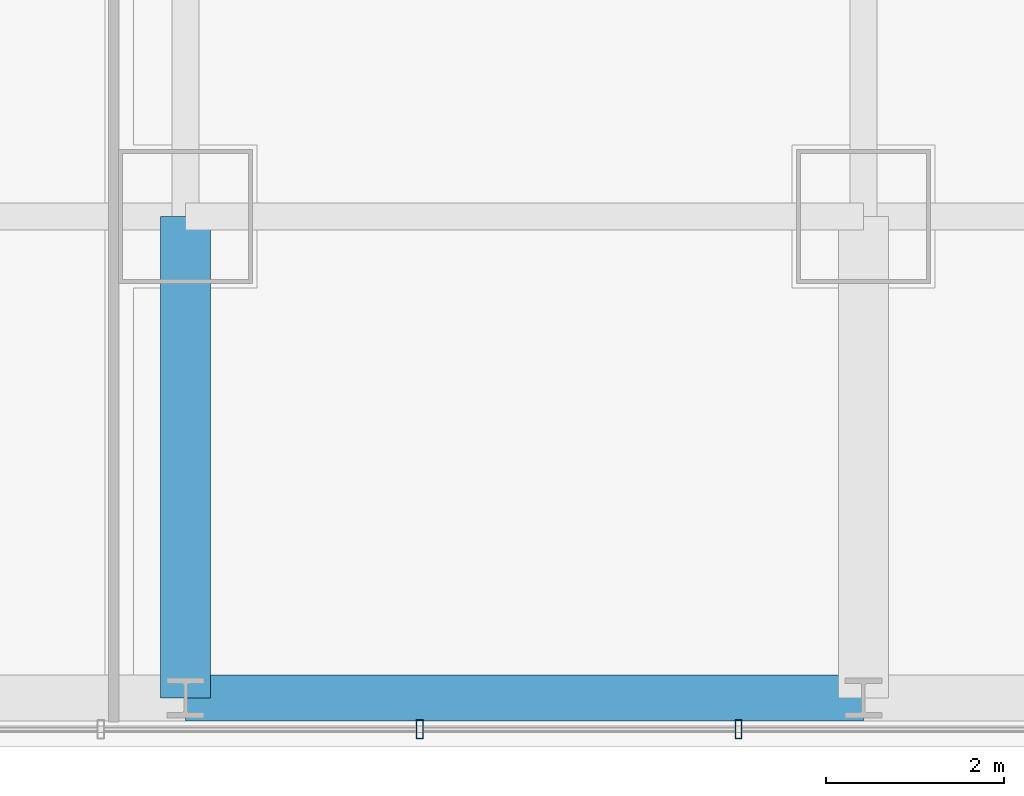
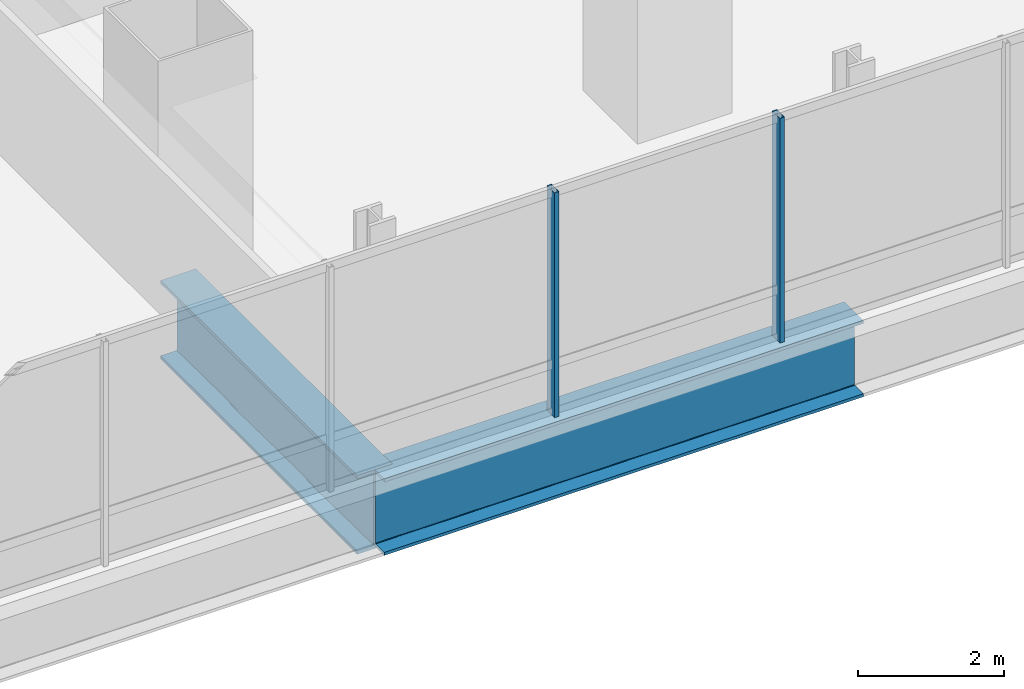
# One storey, part 4 of 42: 2 beams, 2 members, 1 element without a shape of its own.
"""IFC4 building model written with IfcOpenShell, lengths in metres."""

from ifc_helpers import new_model, si_unit, direction, frame, origin, origin_2d, place, context, subcontext, project, spatial, hollow_rectangle, i_section, extrude, material, material_profile, profile_set, type_object, element, aggregate, save


model = new_model("IFC4")

# Units and contexts
model_context = context("Model", 3, precision=1e-05, world=origin(), true_north=direction((0.0, 1.0)))
body_context = subcontext(model_context, "Body", "Model", "MODEL_VIEW")
ifc_project = project(units=[si_unit("LENGTHUNIT", "METRE"), si_unit("AREAUNIT", "SQUARE_METRE"), si_unit("VOLUMEUNIT", "CUBIC_METRE"), si_unit("PLANEANGLEUNIT", "RADIAN"), si_unit("MASSUNIT", "GRAM", prefix="KILO")], contexts=[model_context])

# Site, building, storey
site_placement = place(None, origin())
site = spatial("IfcSite", under=ifc_project, at=site_placement, CompositionType="ELEMENT")
building_placement = place(site_placement, origin())
building = spatial("IfcBuilding", under=site, at=building_placement, Name="Punatoya Terracotta Tower", CompositionType="ELEMENT")
storey_placement = place(building_placement, frame((0.0, 0.0, 88.949951171875)))
storey = spatial("IfcBuildingStorey", under=building, at=storey_placement, Name="L20", CompositionType="ELEMENT", Elevation=88.949951171875)

# Beams
ifc_material_1 = material(Name="Steel S460", Category="steel")
ifc_material_profile_1 = material_profile(ifc_material_1, i_section(OverallWidth=0.56005859375, OverallDepth=1.320068359375, WebThickness=0.035888671875, FlangeThickness=0.054931640625, FilletRadius=0.01806640625, at=origin_2d()))
ifc_profile_set_1 = profile_set([ifc_material_profile_1], Name="Steel S460")
beam_type_1 = type_object("IfcBeamType", Name="BM-TG-BLK", PredefinedType="BEAM", material=ifc_profile_set_1)
beam_1_placement = place(storey_placement, frame((-3.800048828125, -22.89990234375, -0.89990234375), z_axis=(0.0, 1.0, 0.0), x_axis=(-1.0, 0.0, 0.0)))
element("IfcBeam", 1, at=beam_1_placement, inside=storey, type_object=beam_type_1, Name="BM-L20-CANT-S2", PredefinedType="BEAM", context=body_context, shape_type="SweptSolid", body=[
    extrude(i_section(OverallWidth=0.56005859375, OverallDepth=1.320068359375, WebThickness=0.035888671875, FlangeThickness=0.054931640625, FilletRadius=0.01806640625, at=origin_2d()), origin(), (0.0, 0.0, 1.0), 5.39990234375),
])
ifc_material_profile_2 = material_profile(ifc_material_1, i_section(OverallWidth=0.52001953125, OverallDepth=1.280029296875, WebThickness=0.031982421875, FlangeThickness=0.050048828125, FilletRadius=0.01806640625, at=origin_2d()))
ifc_profile_set_2 = profile_set([ifc_material_profile_2], Name="Steel S460")
beam_type_2 = type_object("IfcBeamType", Name="BM-TG-NCK", PredefinedType="BEAM", material=ifc_profile_set_2)
beam_2_placement = place(storey_placement, frame((-3.800048828125, -22.89990234375, -0.8798828125), z_axis=(1.0, 0.0, 0.0), x_axis=(0.0, 1.0, 0.0)))
element("IfcBeam", 2, at=beam_2_placement, inside=storey, type_object=beam_type_2, Name="BM-L20-PER-S2", PredefinedType="BEAM", context=body_context, shape_type="SweptSolid", body=[
    extrude(i_section(OverallWidth=0.52001953125, OverallDepth=1.280029296875, WebThickness=0.031982421875, FlangeThickness=0.050048828125, FilletRadius=0.01806640625, at=origin_2d()), origin(), (0.0, 0.0, 1.0), 7.60009765625),
])

# Curtain wall, members
ifc_material_2 = material(Name="Aluminium 6063-T6 + Double Low-E Glass", Category="aluminium")
curtain_wall_type = type_object("IfcCurtainWallType", Name="CW-M1", PredefinedType="NOTDEFINED", material=ifc_material_2)
curtain_wall_placement = place(storey_placement, origin())
curtain_wall = element("IfcCurtainWall", 3, at=curtain_wall_placement, inside=storey, type_object=curtain_wall_type, Name="L20 Curtain Wall CW-L20-S01-1", PredefinedType="NOTDEFINED")
ifc_material_3 = material(Name="Aluminium 6063-T6", Category="aluminium")
ifc_material_profile_3 = material_profile(ifc_material_3, hollow_rectangle(XDim=0.074951171875, YDim=0.2099609375, WallThickness=0.00439453125, at=origin_2d()))
ifc_profile_set_3 = profile_set([ifc_material_profile_3], Name="Aluminium 6063-T6")
member_type = type_object("IfcMemberType", Name="CW-MUL-M1", PredefinedType="MULLION", material=ifc_profile_set_3)
member_1_placement = place(storey_placement, frame((-1.175048828125, -23.25, 0.0), z_axis=(0.0, 0.0, 1.0), x_axis=(1.0, 0.0, 0.0)))
member_1 = element("IfcMember", 4, at=member_1_placement, type_object=member_type, Name="CW-L20-S01-1 Mullion 03", PredefinedType="MULLION", context=body_context, shape_type="SweptSolid", body=[
    extrude(hollow_rectangle(XDim=0.074951171875, YDim=0.2099609375, WallThickness=0.00439453125, at=origin_2d()), origin(), (0.0, 0.0, 1.0), 3.77001953125),
])
member_2_placement = place(storey_placement, frame((2.39990234375, -23.25, 0.0), z_axis=(0.0, 0.0, 1.0), x_axis=(1.0, 0.0, 0.0)))
member_2 = element("IfcMember", 5, at=member_2_placement, type_object=member_type, Name="CW-L20-S01-1 Mullion 04", PredefinedType="MULLION", context=body_context, shape_type="SweptSolid", body=[
    extrude(hollow_rectangle(XDim=0.074951171875, YDim=0.2099609375, WallThickness=0.00439453125, at=origin_2d()), origin(), (0.0, 0.0, 1.0), 3.77001953125),
])
aggregate(curtain_wall, [member_1, member_2])

save(model, "model.ifc")
